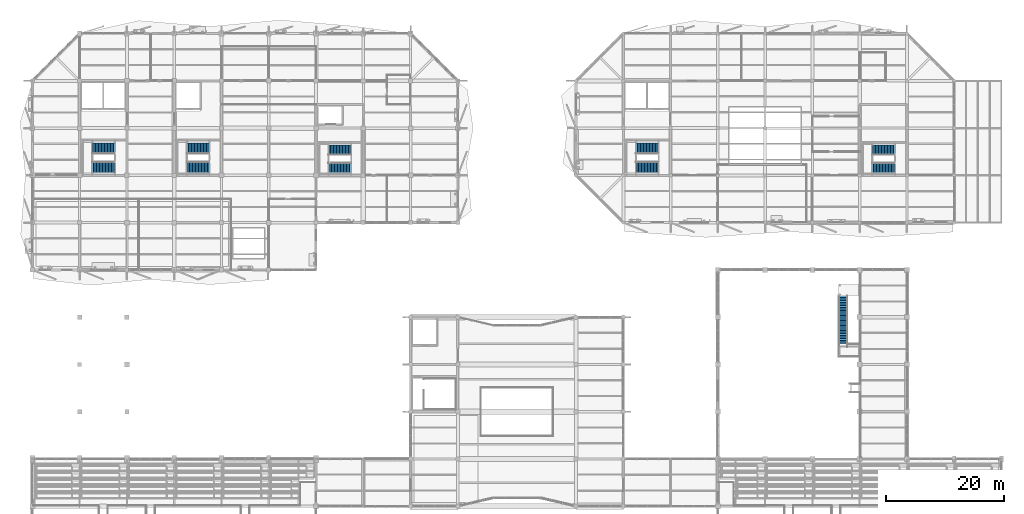
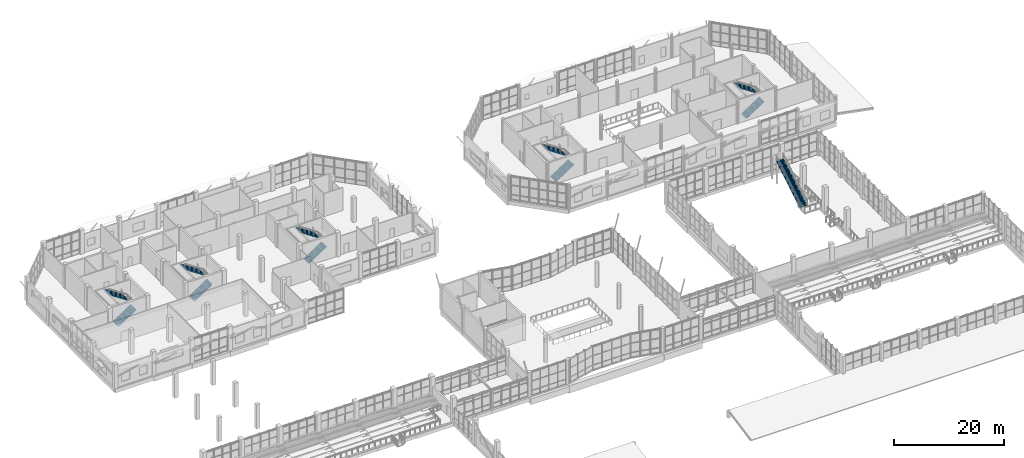
# One storey, part 112 of 122: 11 stair flights, 6 elements without a shape of their own.
"""IFC4 building model written with IfcOpenShell, lengths in metres."""

from ifc_helpers import new_model, si_unit, direction, frame, origin, place, context, subcontext, project, spatial, polyline, outline, extrude, material, type_object, element, aggregate, save


model = new_model("IFC4")

# Units and contexts
model_context = context("Model", 3, precision=1e-05, world=origin(), true_north=direction((0.0, 1.0)))
body_context = subcontext(model_context, "Body", "Model", "MODEL_VIEW")
ifc_project = project(units=[si_unit("LENGTHUNIT", "METRE"), si_unit("AREAUNIT", "SQUARE_METRE"), si_unit("VOLUMEUNIT", "CUBIC_METRE"), si_unit("PLANEANGLEUNIT", "RADIAN"), si_unit("MASSUNIT", "GRAM", prefix="KILO")], contexts=[model_context])

# Site, building, storey
site_placement = place(None, origin())
site = spatial("IfcSite", under=ifc_project, at=site_placement, CompositionType="ELEMENT")
building_placement = place(site_placement, origin())
building = spatial("IfcBuilding", under=site, at=building_placement, Name="Tenunan Teduh Sports Hall", CompositionType="ELEMENT")
storey_placement = place(building_placement, frame((0.0, 0.0, 5.39990234375)))
storey = spatial("IfcBuildingStorey", under=building, at=storey_placement, Name="L01", CompositionType="ELEMENT", Elevation=5.39990234375)

# Stair, stair flights
ifc_material_1 = material(Name="Precast concrete C40/50", Category="concrete")
stair_type_1 = type_object("IfcStairType", Name="STR-CORE-54", PredefinedType="HALF_TURN_STAIR", material=ifc_material_1)
stair_1_placement = place(storey_placement, origin())
stair_1 = element("IfcStair", 1, at=stair_1_placement, inside=storey, type_object=stair_type_1, Name="STR-W1-L01", PredefinedType="HALF_TURN_STAIR")
ifc_material_2 = material(Name="Precast concrete C40/50", Category="concrete")
stair_flight_type_1 = type_object("IfcStairFlightType", Name="SFL-ST-T01", PredefinedType="STRAIGHT", material=ifc_material_2)
stair_flight_1_placement = place(storey_placement, frame((16.080078125, 95.409912109375, 0.0), z_axis=(0.0, 0.0, 1.0), x_axis=(1.0, 0.0, 0.0)))
stair_flight_1 = element("IfcStairFlight", 2, at=stair_flight_1_placement, type_object=stair_flight_type_1, Name="ST-03 flight 1", NumberOfRisers=16, NumberOfTreads=15, PredefinedType="STRAIGHT", RiserHeight=0.16875, TreadLength=0.255, context=body_context, shape_type="SweptSolid", body=[
    extrude(outline(polyline([(0.0, 0.0), (0.0, 0.168701171875), (0.2548828125, 0.168701171875), (0.2548828125, 0.33740234375), (0.510009765625, 0.33740234375), (0.510009765625, 0.50634765625), (0.764892578125, 0.50634765625), (0.764892578125, 0.675048828125), (1.02001953125, 0.675048828125), (1.02001953125, 0.84375), (1.27490234375, 0.84375), (1.27490234375, 1.012451171875), (1.530029296875, 1.012451171875), (1.530029296875, 1.18115234375), (1.784912109375, 1.18115234375), (1.784912109375, 1.35009765625), (2.0400390625, 1.35009765625), (2.0400390625, 1.518798828125), (2.294921875, 1.518798828125), (2.294921875, 1.6875), (2.550048828125, 1.6875), (2.550048828125, 1.856201171875), (2.804931640625, 1.856201171875), (2.804931640625, 2.02490234375), (3.06005859375, 2.02490234375), (3.06005859375, 2.19384765625), (3.31494140625, 2.19384765625), (3.31494140625, 2.362548828125), (3.570068359375, 2.362548828125), (3.570068359375, 2.53125), (3.824951171875, 2.53125), (3.824951171875, 2.699951171875), (3.824951171875, 2.3154296875), (0.325927734375, 0.0), (0.0, 0.0)])), frame((0.0, 0.93017578125, 0.0), z_axis=(0.0, -1.0, 0.0), x_axis=(1.0, 0.0, 0.0)), (0.0, 0.0, 1.0), 1.860107421875),
])
stair_flight_2_placement = place(storey_placement, frame((19.985107421875, 98.590087890625, 2.7001953125), z_axis=(0.0, 0.0, 1.0), x_axis=(-1.0, 0.0, 0.0)))
stair_flight_2 = element("IfcStairFlight", 3, at=stair_flight_2_placement, type_object=stair_flight_type_1, Name="ST-03 flight 2", NumberOfRisers=16, NumberOfTreads=15, PredefinedType="STRAIGHT", RiserHeight=0.16875, TreadLength=0.255, context=body_context, shape_type="SweptSolid", body=[
    extrude(outline(polyline([(0.0, 0.0), (0.0, 0.168701171875), (0.2548828125, 0.168701171875), (0.2548828125, 0.33740234375), (0.510009765625, 0.33740234375), (0.510009765625, 0.50634765625), (0.764892578125, 0.50634765625), (0.764892578125, 0.675048828125), (1.02001953125, 0.675048828125), (1.02001953125, 0.84375), (1.27490234375, 0.84375), (1.27490234375, 1.012451171875), (1.530029296875, 1.012451171875), (1.530029296875, 1.18115234375), (1.784912109375, 1.18115234375), (1.784912109375, 1.35009765625), (2.0400390625, 1.35009765625), (2.0400390625, 1.518798828125), (2.294921875, 1.518798828125), (2.294921875, 1.6875), (2.550048828125, 1.6875), (2.550048828125, 1.856201171875), (2.804931640625, 1.856201171875), (2.804931640625, 2.02490234375), (3.06005859375, 2.02490234375), (3.06005859375, 2.19384765625), (3.31494140625, 2.19384765625), (3.31494140625, 2.362548828125), (3.570068359375, 2.362548828125), (3.570068359375, 2.53125), (3.824951171875, 2.53125), (3.824951171875, 2.699951171875), (3.824951171875, 2.3154296875), (0.325927734375, 0.0), (0.0, 0.0)])), frame((0.0, 0.93017578125, 0.0), z_axis=(0.0, -1.0, 0.0), x_axis=(1.0, 0.0, 0.0)), (0.0, 0.0, 1.0), 1.860107421875),
])
aggregate(stair_1, [stair_flight_1, stair_flight_2])

stair_2_placement = place(storey_placement, origin())
stair_2 = element("IfcStair", 4, at=stair_2_placement, inside=storey, type_object=stair_type_1, Name="STR-W2-L01", PredefinedType="HALF_TURN_STAIR")
stair_flight_3_placement = place(storey_placement, frame((32.080078125, 95.409912109375, 0.0), z_axis=(0.0, 0.0, 1.0), x_axis=(1.0, 0.0, 0.0)))
stair_flight_3 = element("IfcStairFlight", 5, at=stair_flight_3_placement, type_object=stair_flight_type_1, Name="ST-08 flight 1", NumberOfRisers=16, NumberOfTreads=15, PredefinedType="STRAIGHT", RiserHeight=0.16875, TreadLength=0.255, context=body_context, shape_type="SweptSolid", body=[
    extrude(outline(polyline([(0.0, 0.0), (0.0, 0.168701171875), (0.2548828125, 0.168701171875), (0.2548828125, 0.33740234375), (0.510009765625, 0.33740234375), (0.510009765625, 0.50634765625), (0.764892578125, 0.50634765625), (0.764892578125, 0.675048828125), (1.02001953125, 0.675048828125), (1.02001953125, 0.84375), (1.27490234375, 0.84375), (1.27490234375, 1.012451171875), (1.530029296875, 1.012451171875), (1.530029296875, 1.18115234375), (1.784912109375, 1.18115234375), (1.784912109375, 1.35009765625), (2.0400390625, 1.35009765625), (2.0400390625, 1.518798828125), (2.294921875, 1.518798828125), (2.294921875, 1.6875), (2.550048828125, 1.6875), (2.550048828125, 1.856201171875), (2.804931640625, 1.856201171875), (2.804931640625, 2.02490234375), (3.06005859375, 2.02490234375), (3.06005859375, 2.19384765625), (3.31494140625, 2.19384765625), (3.31494140625, 2.362548828125), (3.570068359375, 2.362548828125), (3.570068359375, 2.53125), (3.824951171875, 2.53125), (3.824951171875, 2.699951171875), (3.824951171875, 2.3154296875), (0.325927734375, 0.0), (0.0, 0.0)])), frame((0.0, 0.93017578125, 0.0), z_axis=(0.0, -1.0, 0.0), x_axis=(1.0, 0.0, 0.0)), (0.0, 0.0, 1.0), 1.860107421875),
])
stair_flight_4_placement = place(storey_placement, frame((35.985107421875, 98.590087890625, 2.7001953125), z_axis=(0.0, 0.0, 1.0), x_axis=(-1.0, 0.0, 0.0)))
stair_flight_4 = element("IfcStairFlight", 6, at=stair_flight_4_placement, type_object=stair_flight_type_1, Name="ST-08 flight 2", NumberOfRisers=16, NumberOfTreads=15, PredefinedType="STRAIGHT", RiserHeight=0.16875, TreadLength=0.255, context=body_context, shape_type="SweptSolid", body=[
    extrude(outline(polyline([(0.0, 0.0), (0.0, 0.168701171875), (0.2548828125, 0.168701171875), (0.2548828125, 0.33740234375), (0.510009765625, 0.33740234375), (0.510009765625, 0.50634765625), (0.764892578125, 0.50634765625), (0.764892578125, 0.675048828125), (1.02001953125, 0.675048828125), (1.02001953125, 0.84375), (1.27490234375, 0.84375), (1.27490234375, 1.012451171875), (1.530029296875, 1.012451171875), (1.530029296875, 1.18115234375), (1.784912109375, 1.18115234375), (1.784912109375, 1.35009765625), (2.0400390625, 1.35009765625), (2.0400390625, 1.518798828125), (2.294921875, 1.518798828125), (2.294921875, 1.6875), (2.550048828125, 1.6875), (2.550048828125, 1.856201171875), (2.804931640625, 1.856201171875), (2.804931640625, 2.02490234375), (3.06005859375, 2.02490234375), (3.06005859375, 2.19384765625), (3.31494140625, 2.19384765625), (3.31494140625, 2.362548828125), (3.570068359375, 2.362548828125), (3.570068359375, 2.53125), (3.824951171875, 2.53125), (3.824951171875, 2.699951171875), (3.824951171875, 2.3154296875), (0.325927734375, 0.0), (0.0, 0.0)])), frame((0.0, 0.93017578125, 0.0), z_axis=(0.0, -1.0, 0.0), x_axis=(1.0, 0.0, 0.0)), (0.0, 0.0, 1.0), 1.860107421875),
])
aggregate(stair_2, [stair_flight_3, stair_flight_4])

stair_3_placement = place(storey_placement, origin())
stair_3 = element("IfcStair", 7, at=stair_3_placement, inside=storey, type_object=stair_type_1, Name="STR-E1-L01", PredefinedType="HALF_TURN_STAIR")
stair_flight_5_placement = place(storey_placement, frame((108.080078125, 95.409912109375, 0.0), z_axis=(0.0, 0.0, 1.0), x_axis=(1.0, 0.0, 0.0)))
stair_flight_5 = element("IfcStairFlight", 8, at=stair_flight_5_placement, type_object=stair_flight_type_1, Name="ST-17 flight 1", NumberOfRisers=16, NumberOfTreads=15, PredefinedType="STRAIGHT", RiserHeight=0.16875, TreadLength=0.255, context=body_context, shape_type="SweptSolid", body=[
    extrude(outline(polyline([(0.0, 0.0), (0.0, 0.168701171875), (0.2548828125, 0.168701171875), (0.2548828125, 0.33740234375), (0.510009765625, 0.33740234375), (0.510009765625, 0.50634765625), (0.764892578125, 0.50634765625), (0.764892578125, 0.675048828125), (1.02001953125, 0.675048828125), (1.02001953125, 0.84375), (1.27490234375, 0.84375), (1.27490234375, 1.012451171875), (1.530029296875, 1.012451171875), (1.530029296875, 1.18115234375), (1.784912109375, 1.18115234375), (1.784912109375, 1.35009765625), (2.0400390625, 1.35009765625), (2.0400390625, 1.518798828125), (2.294921875, 1.518798828125), (2.294921875, 1.6875), (2.550048828125, 1.6875), (2.550048828125, 1.856201171875), (2.804931640625, 1.856201171875), (2.804931640625, 2.02490234375), (3.06005859375, 2.02490234375), (3.06005859375, 2.19384765625), (3.31494140625, 2.19384765625), (3.31494140625, 2.362548828125), (3.570068359375, 2.362548828125), (3.570068359375, 2.53125), (3.824951171875, 2.53125), (3.824951171875, 2.699951171875), (3.824951171875, 2.3154296875), (0.325927734375, 0.0), (0.0, 0.0)])), frame((0.0, 0.93017578125, 0.0), z_axis=(0.0, -1.0, 0.0), x_axis=(1.0, 0.0, 0.0)), (0.0, 0.0, 1.0), 1.860107421875),
])
stair_flight_6_placement = place(storey_placement, frame((111.985107421875, 98.590087890625, 2.7001953125), z_axis=(0.0, 0.0, 1.0), x_axis=(-1.0, 0.0, 0.0)))
stair_flight_6 = element("IfcStairFlight", 9, at=stair_flight_6_placement, type_object=stair_flight_type_1, Name="ST-17 flight 2", NumberOfRisers=16, NumberOfTreads=15, PredefinedType="STRAIGHT", RiserHeight=0.16875, TreadLength=0.255, context=body_context, shape_type="SweptSolid", body=[
    extrude(outline(polyline([(0.0, 0.0), (0.0, 0.168701171875), (0.2548828125, 0.168701171875), (0.2548828125, 0.33740234375), (0.510009765625, 0.33740234375), (0.510009765625, 0.50634765625), (0.764892578125, 0.50634765625), (0.764892578125, 0.675048828125), (1.02001953125, 0.675048828125), (1.02001953125, 0.84375), (1.27490234375, 0.84375), (1.27490234375, 1.012451171875), (1.530029296875, 1.012451171875), (1.530029296875, 1.18115234375), (1.784912109375, 1.18115234375), (1.784912109375, 1.35009765625), (2.0400390625, 1.35009765625), (2.0400390625, 1.518798828125), (2.294921875, 1.518798828125), (2.294921875, 1.6875), (2.550048828125, 1.6875), (2.550048828125, 1.856201171875), (2.804931640625, 1.856201171875), (2.804931640625, 2.02490234375), (3.06005859375, 2.02490234375), (3.06005859375, 2.19384765625), (3.31494140625, 2.19384765625), (3.31494140625, 2.362548828125), (3.570068359375, 2.362548828125), (3.570068359375, 2.53125), (3.824951171875, 2.53125), (3.824951171875, 2.699951171875), (3.824951171875, 2.3154296875), (0.325927734375, 0.0), (0.0, 0.0)])), frame((0.0, 0.93017578125, 0.0), z_axis=(0.0, -1.0, 0.0), x_axis=(1.0, 0.0, 0.0)), (0.0, 0.0, 1.0), 1.860107421875),
])
aggregate(stair_3, [stair_flight_5, stair_flight_6])

ifc_material_3 = material(Name="Precast concrete C40/50", Category="concrete")
stair_type_2 = type_object("IfcStairType", Name="STR-CORE-42", PredefinedType="HALF_TURN_STAIR", material=ifc_material_3)
stair_4_placement = place(storey_placement, origin())
stair_4 = element("IfcStair", 10, at=stair_4_placement, inside=storey, type_object=stair_type_2, Name="STR-W3-L01", PredefinedType="HALF_TURN_STAIR")
ifc_material_4 = material(Name="Precast concrete C40/50", Category="concrete")
stair_flight_type_2 = type_object("IfcStairFlightType", Name="SFL-ST-T02", PredefinedType="STRAIGHT", material=ifc_material_4)
stair_flight_7_placement = place(storey_placement, frame((56.080078125, 95.320068359375, 0.0), z_axis=(0.0, 0.0, 1.0), x_axis=(1.0, 0.0, 0.0)))
stair_flight_7 = element("IfcStairFlight", 11, at=stair_flight_7_placement, type_object=stair_flight_type_2, Name="ST-13 flight 1", NumberOfRisers=16, NumberOfTreads=15, PredefinedType="STRAIGHT", RiserHeight=0.16875, TreadLength=0.255, context=body_context, shape_type="SweptSolid", body=[
    extrude(outline(polyline([(0.0, 0.0), (0.0, 0.168701171875), (0.2548828125, 0.168701171875), (0.2548828125, 0.33740234375), (0.510009765625, 0.33740234375), (0.510009765625, 0.50634765625), (0.764892578125, 0.50634765625), (0.764892578125, 0.675048828125), (1.02001953125, 0.675048828125), (1.02001953125, 0.84375), (1.27490234375, 0.84375), (1.27490234375, 1.012451171875), (1.530029296875, 1.012451171875), (1.530029296875, 1.18115234375), (1.784912109375, 1.18115234375), (1.784912109375, 1.35009765625), (2.0400390625, 1.35009765625), (2.0400390625, 1.518798828125), (2.294921875, 1.518798828125), (2.294921875, 1.6875), (2.550048828125, 1.6875), (2.550048828125, 1.856201171875), (2.804931640625, 1.856201171875), (2.804931640625, 2.02490234375), (3.06005859375, 2.02490234375), (3.06005859375, 2.19384765625), (3.31494140625, 2.19384765625), (3.31494140625, 2.362548828125), (3.570068359375, 2.362548828125), (3.570068359375, 2.53125), (3.824951171875, 2.53125), (3.824951171875, 2.699951171875), (3.824951171875, 2.3154296875), (0.325927734375, 0.0), (0.0, 0.0)])), frame((0.0, 0.83984375, 0.0), z_axis=(0.0, -1.0, 0.0), x_axis=(1.0, 0.0, 0.0)), (0.0, 0.0, 1.0), 1.679931640625),
])
stair_flight_8_placement = place(storey_placement, frame((59.985107421875, 98.280029296875, 2.7001953125), z_axis=(0.0, 0.0, 1.0), x_axis=(-1.0, 0.0, 0.0)))
stair_flight_8 = element("IfcStairFlight", 12, at=stair_flight_8_placement, type_object=stair_flight_type_2, Name="ST-13 flight 2", NumberOfRisers=16, NumberOfTreads=15, PredefinedType="STRAIGHT", RiserHeight=0.16875, TreadLength=0.255, context=body_context, shape_type="SweptSolid", body=[
    extrude(outline(polyline([(0.0, 0.0), (0.0, 0.168701171875), (0.2548828125, 0.168701171875), (0.2548828125, 0.33740234375), (0.510009765625, 0.33740234375), (0.510009765625, 0.50634765625), (0.764892578125, 0.50634765625), (0.764892578125, 0.675048828125), (1.02001953125, 0.675048828125), (1.02001953125, 0.84375), (1.27490234375, 0.84375), (1.27490234375, 1.012451171875), (1.530029296875, 1.012451171875), (1.530029296875, 1.18115234375), (1.784912109375, 1.18115234375), (1.784912109375, 1.35009765625), (2.0400390625, 1.35009765625), (2.0400390625, 1.518798828125), (2.294921875, 1.518798828125), (2.294921875, 1.6875), (2.550048828125, 1.6875), (2.550048828125, 1.856201171875), (2.804931640625, 1.856201171875), (2.804931640625, 2.02490234375), (3.06005859375, 2.02490234375), (3.06005859375, 2.19384765625), (3.31494140625, 2.19384765625), (3.31494140625, 2.362548828125), (3.570068359375, 2.362548828125), (3.570068359375, 2.53125), (3.824951171875, 2.53125), (3.824951171875, 2.699951171875), (3.824951171875, 2.3154296875), (0.325927734375, 0.0), (0.0, 0.0)])), frame((0.0, 0.83984375, 0.0), z_axis=(0.0, -1.0, 0.0), x_axis=(1.0, 0.0, 0.0)), (0.0, 0.0, 1.0), 1.679931640625),
])
aggregate(stair_4, [stair_flight_7, stair_flight_8])

stair_5_placement = place(storey_placement, origin())
stair_5 = element("IfcStair", 13, at=stair_5_placement, inside=storey, type_object=stair_type_2, Name="STR-E2-L01", PredefinedType="HALF_TURN_STAIR")
stair_flight_9_placement = place(storey_placement, frame((148.080078125, 95.320068359375, 0.0), z_axis=(0.0, 0.0, 1.0), x_axis=(1.0, 0.0, 0.0)))
stair_flight_9 = element("IfcStairFlight", 14, at=stair_flight_9_placement, type_object=stair_flight_type_2, Name="ST-20 flight 1", NumberOfRisers=16, NumberOfTreads=15, PredefinedType="STRAIGHT", RiserHeight=0.16875, TreadLength=0.255, context=body_context, shape_type="SweptSolid", body=[
    extrude(outline(polyline([(0.0, 0.0), (0.0, 0.168701171875), (0.2548828125, 0.168701171875), (0.2548828125, 0.33740234375), (0.510009765625, 0.33740234375), (0.510009765625, 0.50634765625), (0.764892578125, 0.50634765625), (0.764892578125, 0.675048828125), (1.02001953125, 0.675048828125), (1.02001953125, 0.84375), (1.27490234375, 0.84375), (1.27490234375, 1.012451171875), (1.530029296875, 1.012451171875), (1.530029296875, 1.18115234375), (1.784912109375, 1.18115234375), (1.784912109375, 1.35009765625), (2.0400390625, 1.35009765625), (2.0400390625, 1.518798828125), (2.294921875, 1.518798828125), (2.294921875, 1.6875), (2.550048828125, 1.6875), (2.550048828125, 1.856201171875), (2.804931640625, 1.856201171875), (2.804931640625, 2.02490234375), (3.06005859375, 2.02490234375), (3.06005859375, 2.19384765625), (3.31494140625, 2.19384765625), (3.31494140625, 2.362548828125), (3.570068359375, 2.362548828125), (3.570068359375, 2.53125), (3.824951171875, 2.53125), (3.824951171875, 2.699951171875), (3.824951171875, 2.3154296875), (0.325927734375, 0.0), (0.0, 0.0)])), frame((0.0, 0.83984375, 0.0), z_axis=(0.0, -1.0, 0.0), x_axis=(1.0, 0.0, 0.0)), (0.0, 0.0, 1.0), 1.679931640625),
])
stair_flight_10_placement = place(storey_placement, frame((151.985107421875, 98.280029296875, 2.7001953125), z_axis=(0.0, 0.0, 1.0), x_axis=(-1.0, 0.0, 0.0)))
stair_flight_10 = element("IfcStairFlight", 15, at=stair_flight_10_placement, type_object=stair_flight_type_2, Name="ST-20 flight 2", NumberOfRisers=16, NumberOfTreads=15, PredefinedType="STRAIGHT", RiserHeight=0.16875, TreadLength=0.255, context=body_context, shape_type="SweptSolid", body=[
    extrude(outline(polyline([(0.0, 0.0), (0.0, 0.168701171875), (0.2548828125, 0.168701171875), (0.2548828125, 0.33740234375), (0.510009765625, 0.33740234375), (0.510009765625, 0.50634765625), (0.764892578125, 0.50634765625), (0.764892578125, 0.675048828125), (1.02001953125, 0.675048828125), (1.02001953125, 0.84375), (1.27490234375, 0.84375), (1.27490234375, 1.012451171875), (1.530029296875, 1.012451171875), (1.530029296875, 1.18115234375), (1.784912109375, 1.18115234375), (1.784912109375, 1.35009765625), (2.0400390625, 1.35009765625), (2.0400390625, 1.518798828125), (2.294921875, 1.518798828125), (2.294921875, 1.6875), (2.550048828125, 1.6875), (2.550048828125, 1.856201171875), (2.804931640625, 1.856201171875), (2.804931640625, 2.02490234375), (3.06005859375, 2.02490234375), (3.06005859375, 2.19384765625), (3.31494140625, 2.19384765625), (3.31494140625, 2.362548828125), (3.570068359375, 2.362548828125), (3.570068359375, 2.53125), (3.824951171875, 2.53125), (3.824951171875, 2.699951171875), (3.824951171875, 2.3154296875), (0.325927734375, 0.0), (0.0, 0.0)])), frame((0.0, 0.83984375, 0.0), z_axis=(0.0, -1.0, 0.0), x_axis=(1.0, 0.0, 0.0)), (0.0, 0.0, 1.0), 1.679931640625),
])
aggregate(stair_5, [stair_flight_9, stair_flight_10])

# Stair, stair flight
ifc_material_5 = material(Name="Precast concrete C40/50", Category="concrete")
stair_type_3 = type_object("IfcStairType", Name="STR-CLM-GAL", PredefinedType="STRAIGHT_RUN_STAIR", material=ifc_material_5)
stair_6_placement = place(storey_placement, origin())
stair_6 = element("IfcStair", 16, at=stair_6_placement, inside=storey, type_object=stair_type_3, Name="STR-VOM-CL2", PredefinedType="STRAIGHT_RUN_STAIR")
ifc_material_6 = material(Name="Precast concrete C40/50", Category="concrete")
stair_flight_type_3 = type_object("IfcStairFlightType", Name="SFL-ST-T06", PredefinedType="STRAIGHT", material=ifc_material_6)
stair_flight_11_placement = place(storey_placement, frame((143.199951171875, 64.9599609375, 0.0), z_axis=(0.0, 0.0, 1.0), x_axis=(0.0, 1.0, 0.0)))
stair_flight_11 = element("IfcStairFlight", 17, at=stair_flight_11_placement, type_object=stair_flight_type_3, Name="ST-30 flight 1", NumberOfRisers=32, NumberOfTreads=31, PredefinedType="STRAIGHT", RiserHeight=0.16875, TreadLength=0.28, context=body_context, shape_type="SweptSolid", body=[
    extrude(outline(polyline([(0.0, 0.0), (0.0, 0.168701171875), (0.280029296875, 0.168701171875), (0.280029296875, 0.33740234375), (0.56005859375, 0.33740234375), (0.56005859375, 0.50634765625), (0.840087890625, 0.50634765625), (0.840087890625, 0.675048828125), (1.1201171875, 0.675048828125), (1.1201171875, 0.84375), (1.39990234375, 0.84375), (1.39990234375, 1.012451171875), (1.679931640625, 1.012451171875), (1.679931640625, 1.18115234375), (1.9599609375, 1.18115234375), (1.9599609375, 1.35009765625), (2.239990234375, 1.35009765625), (2.239990234375, 1.518798828125), (2.52001953125, 1.518798828125), (2.52001953125, 1.6875), (2.800048828125, 1.6875), (2.800048828125, 1.856201171875), (3.080078125, 1.856201171875), (3.080078125, 2.02490234375), (3.360107421875, 2.02490234375), (3.360107421875, 2.19384765625), (3.639892578125, 2.19384765625), (3.639892578125, 2.362548828125), (3.919921875, 2.362548828125), (3.919921875, 2.53125), (4.199951171875, 2.53125), (4.199951171875, 2.699951171875), (4.47998046875, 2.699951171875), (4.47998046875, 2.86865234375), (4.760009765625, 2.86865234375), (4.760009765625, 3.03759765625), (5.0400390625, 3.03759765625), (5.0400390625, 3.206298828125), (5.320068359375, 3.206298828125), (5.320068359375, 3.375), (5.60009765625, 3.375), (5.60009765625, 3.543701171875), (5.8798828125, 3.543701171875), (5.8798828125, 3.71240234375), (6.159912109375, 3.71240234375), (6.159912109375, 3.88134765625), (6.43994140625, 3.88134765625), (6.43994140625, 4.050048828125), (6.719970703125, 4.050048828125), (6.719970703125, 4.21875), (7.0, 4.21875), (7.0, 4.387451171875), (7.280029296875, 4.387451171875), (7.280029296875, 4.55615234375), (7.56005859375, 4.55615234375), (7.56005859375, 4.72509765625), (7.840087890625, 4.72509765625), (7.840087890625, 4.893798828125), (8.1201171875, 4.893798828125), (8.1201171875, 5.0625), (8.39990234375, 5.0625), (8.39990234375, 5.231201171875), (8.679931640625, 5.231201171875), (8.679931640625, 5.39990234375), (8.679931640625, 4.997802734375), (0.387451171875, 0.0), (0.0, 0.0)])), frame((0.0, 0.75, 0.0), z_axis=(0.0, -1.0, 0.0), x_axis=(1.0, 0.0, 0.0)), (0.0, 0.0, 1.0), 1.5),
])
aggregate(stair_6, [stair_flight_11])

save(model, "model.ifc")
